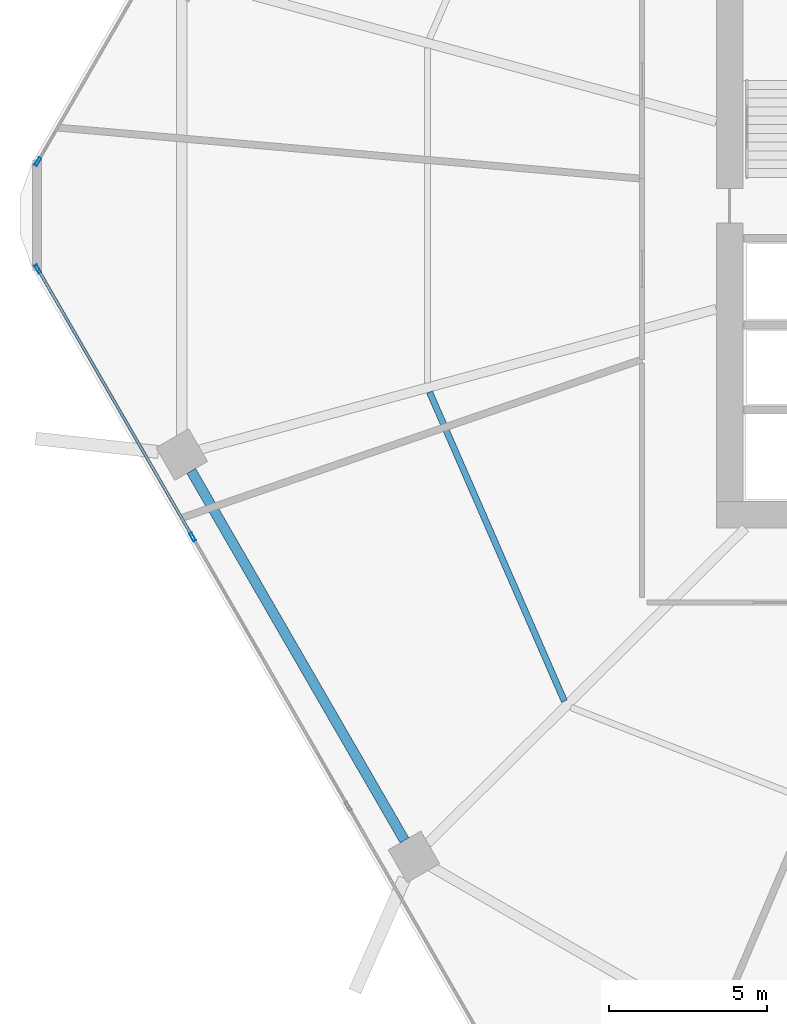
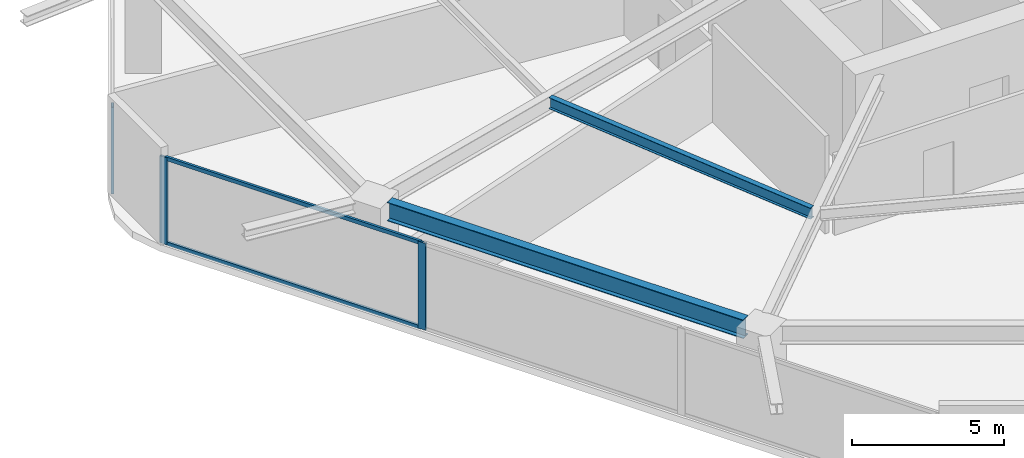
# One storey, part 5 of 25: 5 members, 2 beams, 2 elements without a shape of their own.
"""IFC4 building model written with IfcOpenShell, lengths in metres."""

from ifc_helpers import new_model, si_unit, direction, frame, origin, origin_2d, place, context, subcontext, project, spatial, hollow_rectangle, i_section, extrude, material, material_profile, profile_set, type_object, element, aggregate, save


model = new_model("IFC4")

# Units and contexts
model_context = context("Model", 3, precision=1e-05, world=origin(), true_north=direction((0.0, 1.0)))
body_context = subcontext(model_context, "Body", "Model", "MODEL_VIEW")
ifc_project = project(units=[si_unit("LENGTHUNIT", "METRE"), si_unit("AREAUNIT", "SQUARE_METRE"), si_unit("VOLUMEUNIT", "CUBIC_METRE"), si_unit("PLANEANGLEUNIT", "RADIAN"), si_unit("MASSUNIT", "GRAM", prefix="KILO")], contexts=[model_context])

# Site, building, storey
site_placement = place(None, origin())
site = spatial("IfcSite", under=ifc_project, at=site_placement, CompositionType="ELEMENT")
building_placement = place(site_placement, origin())
building = spatial("IfcBuilding", under=site, at=building_placement, Name="Zuhravey Tower", CompositionType="ELEMENT")
storey_placement = place(building_placement, frame((0.0, 0.0, 54.0)))
storey = spatial("IfcBuildingStorey", under=building, at=storey_placement, Name="L13", CompositionType="ELEMENT", Elevation=54.0)

# Curtain wall, members
ifc_material_1 = material(Name="Thermally broken anodised aluminium", Category="aluminium")
curtain_wall_type = type_object("IfcCurtainWallType", Name="School Low-E Unitised Curtain Wall CW1", PredefinedType="NOTDEFINED", material=ifc_material_1)
curtain_wall_1_placement = place(storey_placement, origin())
curtain_wall_1 = element("IfcCurtainWall", 1, at=curtain_wall_1_placement, inside=storey, type_object=curtain_wall_type, Name="L13 CW1 CW-L13-F4-1", PredefinedType="NOTDEFINED")
ifc_material_2 = material(Name="Anodised aluminium", Category="aluminium")
ifc_material_profile_1 = material_profile(ifc_material_2, hollow_rectangle(XDim=0.090087890625, YDim=0.284912109375, WallThickness=0.0048828125, at=origin_2d()), Name="ALU-RHS-90x285x5")
ifc_profile_set_1 = profile_set([ifc_material_profile_1], Name="Anodised aluminium")
member_type_1 = type_object("IfcMemberType", Name="Curtain-Wall Mullion 90x180", PredefinedType="MULLION", material=ifc_profile_set_1)
member_1_placement = place(storey_placement, frame((8.45458984375, 21.79296875, 0.0), z_axis=(0.0, 0.0, 1.0), x_axis=(-0.86602552265, -0.499999794119, 0.0)))
member_1 = element("IfcMember", 2, at=member_1_placement, type_object=member_type_1, Name="CW1 mullion 3", PredefinedType="MULLION", context=body_context, shape_type="SweptSolid", body=[
    extrude(hollow_rectangle(XDim=0.090087890625, YDim=0.284912109375, WallThickness=0.0048828125, at=origin_2d()), origin(), (0.0, 0.0, 1.0), 3.491943359375),
])
member_2_placement = place(storey_placement, frame((3.5439453125, 30.298583984375, 0.0), z_axis=(0.0, 0.0, 1.0), x_axis=(-0.86602552265, -0.499999794119, 0.0)))
member_2 = element("IfcMember", 3, at=member_2_placement, type_object=member_type_1, Name="CW1 mullion 4", PredefinedType="MULLION", context=body_context, shape_type="SweptSolid", body=[
    extrude(hollow_rectangle(XDim=0.090087890625, YDim=0.284912109375, WallThickness=0.0048828125, at=origin_2d()), origin(), (0.0, 0.0, 1.0), 3.491943359375),
])

# Curtain wall, member
curtain_wall_2_placement = place(storey_placement, origin())
curtain_wall_2 = element("IfcCurtainWall", 4, at=curtain_wall_2_placement, inside=storey, type_object=curtain_wall_type, Name="L13 CW1 CW-L13-F3-1", PredefinedType="NOTDEFINED")
member_3_placement = place(storey_placement, frame((3.5439453125, 33.701416015625, 0.0), z_axis=(0.0, 0.0, 1.0), x_axis=(-0.86602552265, 0.499999794119, 0.0)))
member_3 = element("IfcMember", 5, at=member_3_placement, type_object=member_type_1, Name="CW1 mullion 1", PredefinedType="MULLION", context=body_context, shape_type="SweptSolid", body=[
    extrude(hollow_rectangle(XDim=0.090087890625, YDim=0.284912109375, WallThickness=0.0048828125, at=origin_2d()), origin(), (0.0, 0.0, 1.0), 3.491943359375),
])
aggregate(curtain_wall_2, [member_3])

# Member
ifc_material_profile_2 = material_profile(ifc_material_2, hollow_rectangle(XDim=0.090087890625, YDim=0.14990234375, WallThickness=0.0048828125, at=origin_2d()), Name="ALU-RHS-90x150x5")
ifc_profile_set_2 = profile_set([ifc_material_profile_2], Name="Anodised aluminium")
member_type_2 = type_object("IfcMemberType", Name="Curtain-Wall Transom 90x150", PredefinedType="USERDEFINED", material=ifc_profile_set_2)
member_4_placement = place(storey_placement, frame((8.43212890625, 21.83203125, 0.044921875), z_axis=(-0.500008393077, 0.866020557985, 0.0), x_axis=(-0.866020557985, -0.500008393077, 0.0)))
member_4 = element("IfcMember", 6, at=member_4_placement, type_object=member_type_2, Name="CW1 transom 3.1", ObjectType="TRANSOM", PredefinedType="USERDEFINED", context=body_context, shape_type="SweptSolid", body=[
    extrude(hollow_rectangle(XDim=0.090087890625, YDim=0.14990234375, WallThickness=0.0048828125, at=origin_2d()), origin(), (0.0, 0.0, 1.0), 9.731201171875),
])

member_5_placement = place(storey_placement, frame((8.43212890625, 21.83203125, 3.447021484375), z_axis=(-0.500008393077, 0.866020557985, 0.0), x_axis=(-0.866020557985, -0.500008393077, 0.0)))
member_5 = element("IfcMember", 7, at=member_5_placement, type_object=member_type_2, Name="CW1 transom 3.2", ObjectType="TRANSOM", PredefinedType="USERDEFINED", context=body_context, shape_type="SweptSolid", body=[
    extrude(hollow_rectangle(XDim=0.090087890625, YDim=0.14990234375, WallThickness=0.0048828125, at=origin_2d()), origin(), (0.0, 0.0, 1.0), 9.731201171875),
])

aggregate(curtain_wall_1, [member_1, member_2, member_4, member_5])

# Beams
ifc_material_3 = material(Name="Steel SM355", Category="steel")
ifc_material_profile_3 = material_profile(ifc_material_3, i_section(OverallWidth=0.320068359375, OverallDepth=0.75, WebThickness=0.013916015625, FlangeThickness=0.02490234375, at=origin_2d()), Name="H-750x320x14x25")
ifc_profile_set_3 = profile_set([ifc_material_profile_3], Name="Steel SM355")
beam_type_1 = type_object("IfcBeamType", Name="Perimeter Ring Beam H750x320", PredefinedType="BEAM", material=ifc_profile_set_3)
beam_1_placement = place(storey_placement, frame((8.412353515625, 23.88623046875, 3.544921875), z_axis=(0.499999877243, -0.866025474658, 0.0), x_axis=(0.866025474658, 0.499999877243, 0.0)))
element("IfcBeam", 8, at=beam_1_placement, inside=storey, type_object=beam_type_1, Name="L13 PB1 BM-L13-PB-07", PredefinedType="BEAM", context=body_context, shape_type="SweptSolid", body=[
    extrude(i_section(OverallWidth=0.320068359375, OverallDepth=0.75, WebThickness=0.013916015625, FlangeThickness=0.02490234375, at=origin_2d()), origin(), (0.0, 0.0, 1.0), 13.5341796875),
])
ifc_material_profile_4 = material_profile(ifc_material_3, i_section(OverallWidth=0.199951171875, OverallDepth=0.449951171875, WebThickness=0.009033203125, FlangeThickness=0.013916015625, at=origin_2d()), Name="H-450x200x9x14")
ifc_profile_set_4 = profile_set([ifc_material_profile_4], Name="Steel SM355")
beam_type_2 = type_object("IfcBeamType", Name="Secondary Floor Joist H450x200", PredefinedType="JOIST", material=ifc_profile_set_4)
beam_2_placement = place(storey_placement, frame((15.974609375, 26.39111328125, 3.695068359375), z_axis=(0.399923551578, -0.916548500022, 0.0), x_axis=(0.916548500022, 0.399923551578, 0.0)))
element("IfcBeam", 9, at=beam_2_placement, inside=storey, type_object=beam_type_2, Name="L13 SJ1 BM-L13-SJ-07-1", PredefinedType="JOIST", context=body_context, shape_type="SweptSolid", body=[
    extrude(i_section(OverallWidth=0.199951171875, OverallDepth=0.449951171875, WebThickness=0.009033203125, FlangeThickness=0.013916015625, at=origin_2d()), origin(), (0.0, 0.0, 1.0), 10.70263671875),
])

save(model, "model.ifc")
